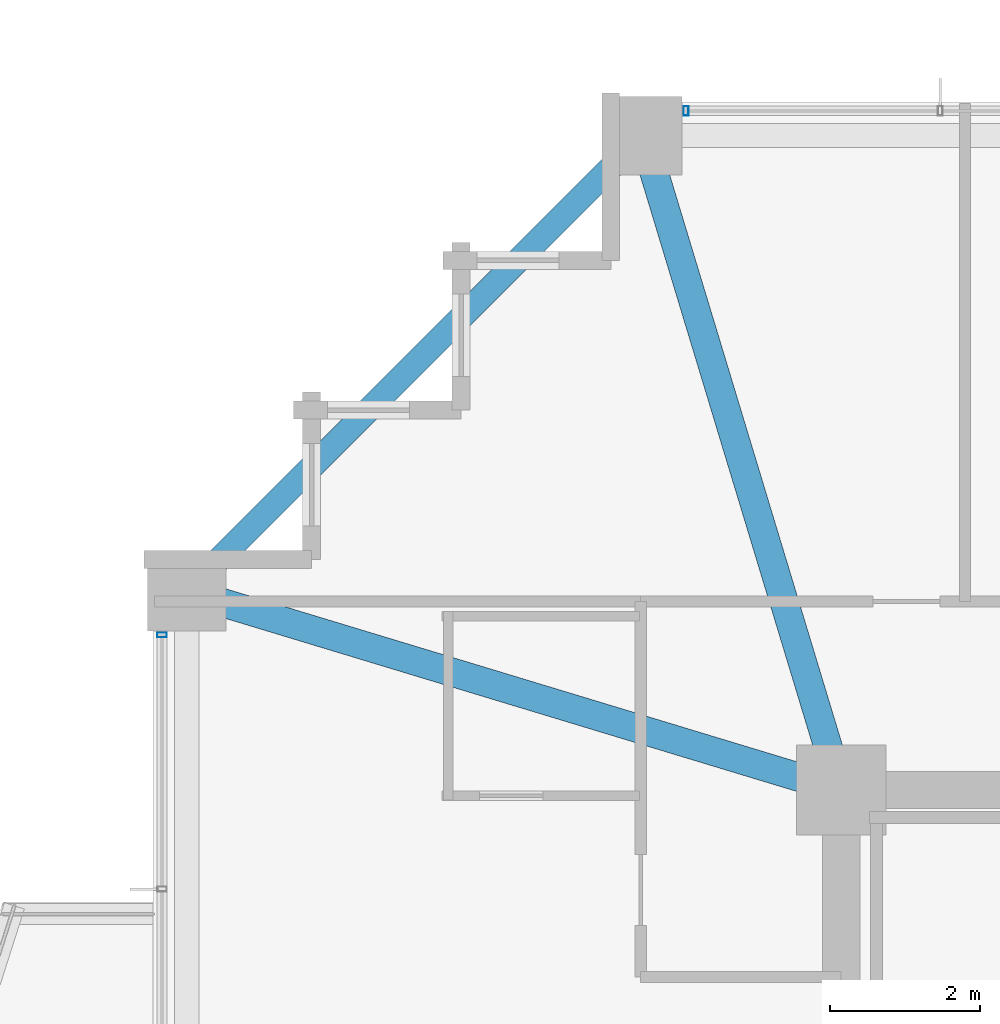
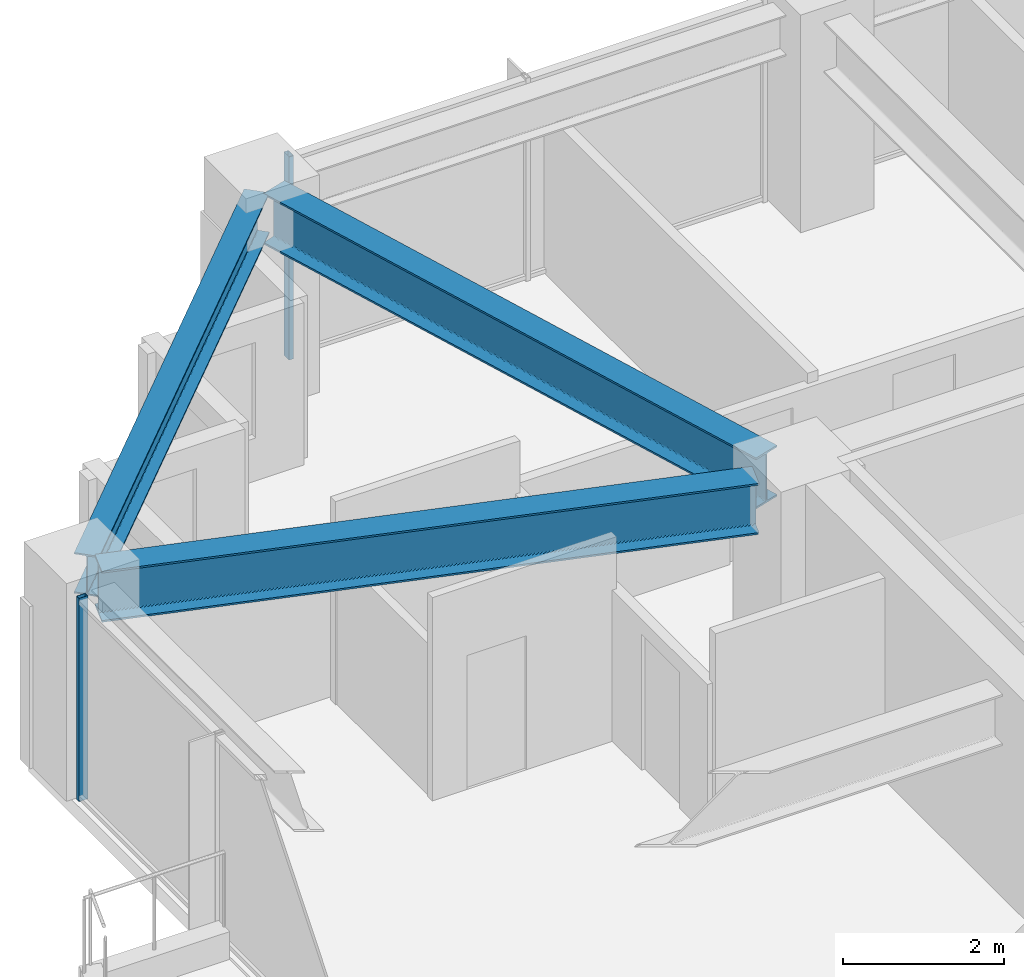
# One storey, part 20 of 38: 3 beams, 2 members, 2 elements without a shape of their own.
"""IFC4 building model written with IfcOpenShell, lengths in metres."""

from ifc_helpers import new_model, si_unit, direction, frame, origin, origin_2d, place, context, subcontext, project, spatial, hollow_rectangle, i_section, extrude, material, material_profile, profile_set, type_object, element, aggregate, save


model = new_model("IFC4")

# Units and contexts
model_context = context("Model", 3, precision=1e-05, world=origin(), true_north=direction((0.0, 1.0)))
body_context = subcontext(model_context, "Body", "Model", "MODEL_VIEW")
ifc_project = project(units=[si_unit("LENGTHUNIT", "METRE"), si_unit("AREAUNIT", "SQUARE_METRE"), si_unit("VOLUMEUNIT", "CUBIC_METRE"), si_unit("PLANEANGLEUNIT", "RADIAN"), si_unit("MASSUNIT", "GRAM", prefix="KILO")], contexts=[model_context])

# Site, building, storey
site_placement = place(None, origin())
site = spatial("IfcSite", under=ifc_project, at=site_placement, CompositionType="ELEMENT")
building_placement = place(site_placement, origin())
building = spatial("IfcBuilding", under=site, at=building_placement, Name="Kolvaren Belvedere", CompositionType="ELEMENT")
storey_placement = place(building_placement, frame((0.0, 0.0, 121.699951171875)))
storey = spatial("IfcBuildingStorey", under=building, at=storey_placement, Name="L35", CompositionType="ELEMENT", Elevation=121.699951171875)

# Beams
ifc_material_1 = material(Name="Structural steel ASTM A992 Grade 50", Category="steel")
ifc_material_profile_1 = material_profile(ifc_material_1, i_section(OverallWidth=0.381103515625, OverallDepth=0.77294921875, WebThickness=0.0166015625, FlangeThickness=0.027099609375, FilletRadius=0.02392578125, at=origin_2d()), Name="W30X173")
ifc_profile_set_1 = profile_set([ifc_material_profile_1], Name="Structural steel ASTM A992 Grade 50")
beam_type_1 = type_object("IfcBeamType", Name="BM-GIRD-W30X173", PredefinedType="BEAM", material=ifc_profile_set_1)
for number, where, z_axis, x_axis, name in (
    (1, (-10.059326171875, 10.426513671875, 2.693603515625), (-0.289858652454, 0.957069465398, 0.0), (-0.957069465398, -0.289858652454, 0.0), "L35 Corner Core-to-Perimeter Girder CC4-N1"),
    (2, (-10.426513671875, 10.059326171875, 2.693603515625), (-0.957069465398, 0.289858652454, 0.0), (-0.289858652454, -0.957069465398, 0.0), "L35 Corner Core-to-Perimeter Girder CC4-W4"),
):
    element("IfcBeam", number, at=place(storey_placement, frame(where, z_axis=z_axis, x_axis=x_axis)), inside=storey, type_object=beam_type_1, Name=name, PredefinedType="BEAM", context=body_context, shape_type="SweptSolid", body=[
        extrude(i_section(OverallWidth=0.381103515625, OverallDepth=0.77294921875, WebThickness=0.0166015625, FlangeThickness=0.027099609375, FilletRadius=0.02392578125, at=origin_2d()), origin(), (0.0, 0.0, 1.0), 8.38232421875),
    ])
ifc_material_2 = material(Name="Structural steel ASTM A992 Grade 50", Category="steel")
ifc_material_profile_2 = material_profile(ifc_material_2, i_section(OverallWidth=0.324951171875, OverallDepth=0.615966796875, WebThickness=0.013916015625, FlangeThickness=0.021484375, FilletRadius=0.02001953125, at=origin_2d()), Name="W24X117")
ifc_profile_set_2 = profile_set([ifc_material_profile_2], Name="Structural steel ASTM A992 Grade 50")
beam_type_2 = type_object("IfcBeamType", Name="BM-SPAN-W24X117", PredefinedType="SPANDREL", material=ifc_profile_set_2)
beam_placement = place(storey_placement, frame((-12.717041015625, 18.48291015625, 2.77197265625), z_axis=(-0.707106781187, -0.707106781187, 0.0), x_axis=(0.707106781187, -0.707106781187, 0.0)))
element("IfcBeam", 3, at=beam_placement, inside=storey, type_object=beam_type_2, Name="L35 Perimeter Spandrel N1-W4", PredefinedType="SPANDREL", context=body_context, shape_type="SweptSolid", body=[
    extrude(i_section(OverallWidth=0.324951171875, OverallDepth=0.615966796875, WebThickness=0.013916015625, FlangeThickness=0.021484375, FilletRadius=0.02001953125, at=origin_2d()), origin(), (0.0, 0.0, 1.0), 8.154052734375),
])

# Curtain wall, member
ifc_material_3 = material(Name="Anodised pale-metal aluminium AA 6063-T6", Category="aluminium")
curtain_wall_type = type_object("IfcCurtainWallType", Name="CW-Z3-WAIST", PredefinedType="NOTDEFINED", material=ifc_material_3)
curtain_wall_1_placement = place(storey_placement, origin())
curtain_wall_1 = element("IfcCurtainWall", 4, at=curtain_wall_1_placement, inside=storey, type_object=curtain_wall_type, Name="L35 Unitised Curtain Wall FCW-L35-N-B1", PredefinedType="NOTDEFINED")
ifc_material_4 = material(Name="Anodised pale-metal aluminium AA 6063-T6", Category="aluminium")
ifc_material_profile_3 = material_profile(ifc_material_4, hollow_rectangle(XDim=0.06494140625, YDim=0.1298828125, WallThickness=0.00390625, at=origin_2d()), Name="ALU-MUL-130X65")
ifc_profile_set_3 = profile_set([ifc_material_profile_3], Name="Anodised pale-metal aluminium AA 6063-T6")
member_type = type_object("IfcMemberType", Name="CW-MUL-130", PredefinedType="MULLION", material=ifc_profile_set_3)
member_1_placement = place(storey_placement, frame((-11.972412109375, 18.97998046875, 0.0), z_axis=(0.0, 0.0, 1.0), x_axis=(1.0, 0.0, 0.0)))
member_1 = element("IfcMember", 5, at=member_1_placement, type_object=member_type, Name="FCW-L35-N-B1 Unitised Mullion 1", PredefinedType="MULLION", context=body_context, shape_type="SweptSolid", body=[
    extrude(hollow_rectangle(XDim=0.06494140625, YDim=0.1298828125, WallThickness=0.00390625, at=origin_2d()), origin(), (0.0, 0.0, 1.0), 3.080078125),
])
aggregate(curtain_wall_1, [member_1])

curtain_wall_2_placement = place(storey_placement, origin())
curtain_wall_2 = element("IfcCurtainWall", 6, at=curtain_wall_2_placement, inside=storey, type_object=curtain_wall_type, Name="L35 Unitised Curtain Wall FCW-L35-W2-B2", PredefinedType="NOTDEFINED")
member_2_placement = place(storey_placement, frame((-18.97998046875, 11.972412109375, 0.0), z_axis=(0.0, 0.0, 1.0), x_axis=(0.0, 1.0, 0.0)))
member_2 = element("IfcMember", 7, at=member_2_placement, type_object=member_type, Name="FCW-L35-W2-B2 Unitised Mullion 3", PredefinedType="MULLION", context=body_context, shape_type="SweptSolid", body=[
    extrude(hollow_rectangle(XDim=0.06494140625, YDim=0.1298828125, WallThickness=0.00390625, at=origin_2d()), origin(), (0.0, 0.0, 1.0), 3.080078125),
])
aggregate(curtain_wall_2, [member_2])

save(model, "model.ifc")
